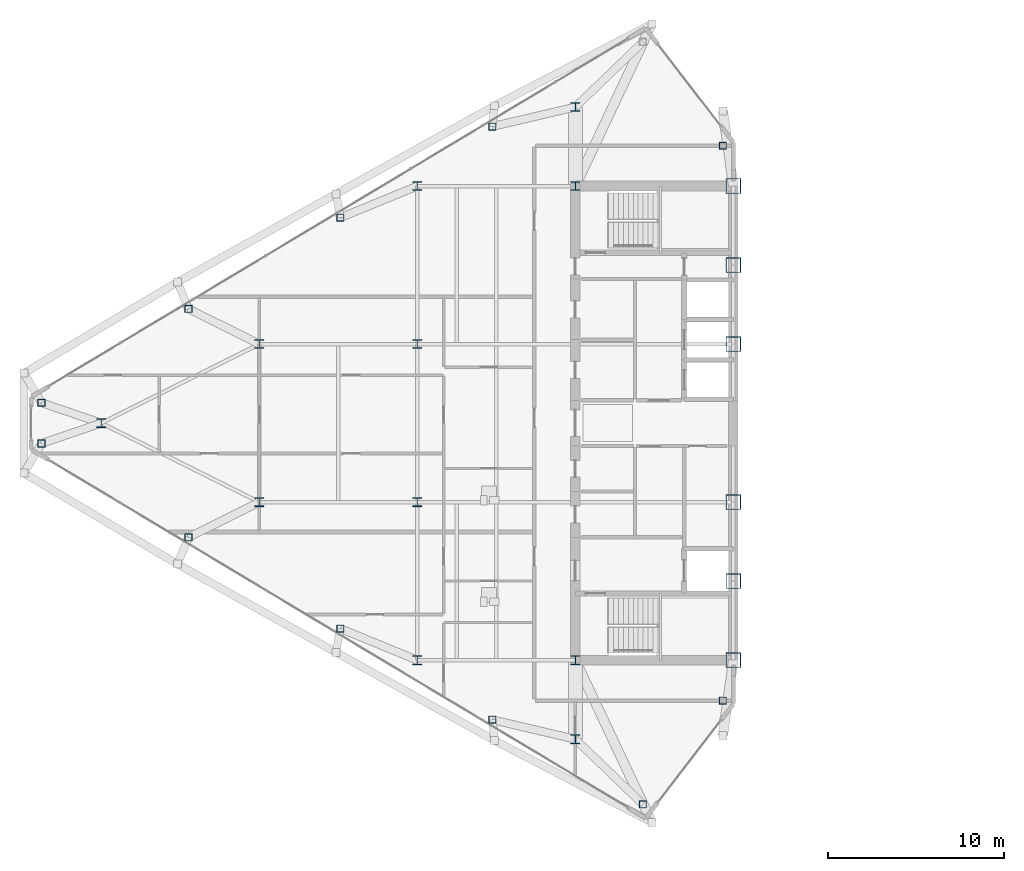
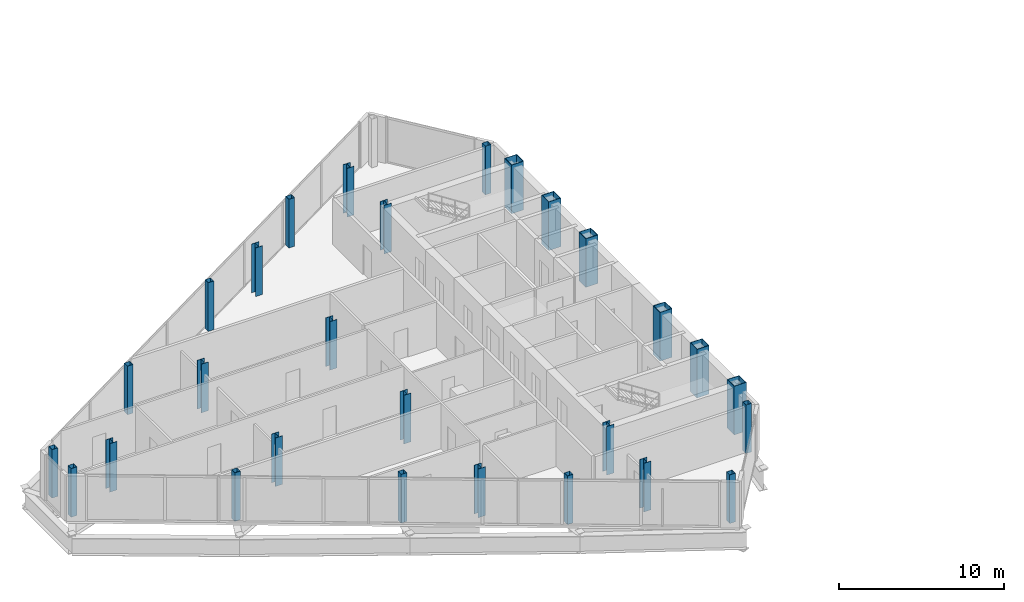
# One storey, part 1 of 29: 28 columns.
"""IFC4 building model written with IfcOpenShell, lengths in metres."""

from ifc_helpers import new_model, si_unit, direction, frame, origin, origin_2d, place, context, subcontext, project, spatial, hollow_rectangle, i_section, extrude, source, transform, mapped, material, material_profile, profile_set, type_object, type_shapes, element, save


model = new_model("IFC4")

# Units and contexts
model_context = context("Model", 3, precision=1e-05, world=origin(), true_north=direction((0.0, 1.0)))
body_context = subcontext(model_context, "Body", "Model", "MODEL_VIEW")
ifc_project = project(units=[si_unit("LENGTHUNIT", "METRE"), si_unit("AREAUNIT", "SQUARE_METRE"), si_unit("VOLUMEUNIT", "CUBIC_METRE"), si_unit("PLANEANGLEUNIT", "RADIAN"), si_unit("MASSUNIT", "GRAM", prefix="KILO")], contexts=[model_context])

# Site, building, storey
site_placement = place(None, origin())
site = spatial("IfcSite", under=ifc_project, at=site_placement, CompositionType="ELEMENT")
building_placement = place(site_placement, origin())
building = spatial("IfcBuilding", under=site, at=building_placement, Name="Seokmaru Belvedere", CompositionType="ELEMENT")
storey_placement = place(building_placement, frame((0.0, 0.0, 195.89990234375)))
storey = spatial("IfcBuildingStorey", under=building, at=storey_placement, Name="L52", CompositionType="ELEMENT", Elevation=195.89990234375)

# Columns
ifc_material_1 = material(Name="Steel HSA650 (650 MPa)", Category="steel")
ifc_material_profile_1 = material_profile(ifc_material_1, hollow_rectangle(XDim=0.85009765625, YDim=0.85009765625, WallThickness=0.035888671875, at=origin_2d()), Name="BOX-850x850x36")
ifc_profile_set_1 = profile_set([ifc_material_profile_1], Name="Steel HSA650 (650 MPa)")
column_type_1 = type_object("IfcColumnType", Name="Portal Spine Column BOX-850", PredefinedType="COLUMN", material=ifc_profile_set_1)
shared_shape_1 = source(origin(), body_context, "Body", "SweptSolid", [
    extrude(hollow_rectangle(XDim=0.85009765625, YDim=0.85009765625, WallThickness=0.035888671875, at=origin_2d()), origin(), (0.0, 0.0, 1.0), 3.60009765625),
])
type_shapes(column_type_1, [shared_shape_1])
for number, where, z_axis, x_axis, name in (
    (1, (-27.5, -13.5, 0.0), (0.0, 0.0, 1.0), (1.0, 0.0, 0.0), "L52 Column WS1"),
    (2, (-27.5, -9.0, 0.0), (0.0, 0.0, 1.0), (1.0, 0.0, 0.0), "L52 Column WS2"),
    (3, (-27.5, -4.5, 0.0), (0.0, 0.0, 1.0), (1.0, 0.0, 0.0), "L52 Column WS3"),
    (4, (-27.5, 4.5, 0.0), (0.0, 0.0, 1.0), (1.0, 0.0, 0.0), "L52 Column WS4"),
    (5, (-27.5, 9.0, 0.0), (0.0, 0.0, 1.0), (1.0, 0.0, 0.0), "L52 Column WS5"),
    (6, (-27.5, 13.5, 0.0), (0.0, 0.0, 1.0), (1.0, 0.0, 0.0), "L52 Column WS6"),
):
    element("IfcColumn", number, at=place(storey_placement, frame(where, z_axis=z_axis, x_axis=x_axis)), inside=storey, type_object=column_type_1, Name=name, PredefinedType="COLUMN", context=body_context, shape_type="MappedRepresentation", body=[
        mapped(shared_shape_1, transform((0.0, 0.0, 0.0), scale=1.0)),
    ])
ifc_material_2 = material(Name="Steel SM355 (355 MPa)", Category="steel")
ifc_material_profile_2 = material_profile(ifc_material_2, i_section(OverallWidth=0.5, OverallDepth=0.5, WebThickness=0.02001953125, FlangeThickness=0.031982421875, at=origin_2d()), Name="H-500x500x20x32")
ifc_profile_set_2 = profile_set([ifc_material_profile_2], Name="Steel SM355 (355 MPa)")
column_type_2 = type_object("IfcColumnType", Name="High-Rise Interior Column H-500", PredefinedType="COLUMN", material=ifc_profile_set_2)
shared_shape_2 = source(origin(), body_context, "Body", "SweptSolid", [
    extrude(i_section(OverallWidth=0.5, OverallDepth=0.5, WebThickness=0.02001953125, FlangeThickness=0.031982421875, at=origin_2d()), origin(), (0.0, 0.0, 1.0), 3.60009765625),
])
type_shapes(column_type_2, [shared_shape_2])
for number, where, z_axis, x_axis, name in (
    (7, (-36.5, -18.0, 0.0), (0.0, 0.0, 1.0), (1.0, 0.0, 0.0), "L52 Column WC1"),
    (8, (-36.5, -13.5, 0.0), (0.0, 0.0, 1.0), (1.0, 0.0, 0.0), "L52 Column WC2"),
    (9, (-36.5, 13.5, 0.0), (0.0, 0.0, 1.0), (1.0, 0.0, 0.0), "L52 Column WC3"),
    (10, (-36.5, 18.0, 0.0), (0.0, 0.0, 1.0), (1.0, 0.0, 0.0), "L52 Column WC4"),
    (11, (-45.5, -13.5, 0.0), (0.0, 0.0, 1.0), (1.0, 0.0, 0.0), "L52 Column WG5_1"),
    (12, (-45.5, -4.5, 0.0), (0.0, 0.0, 1.0), (1.0, 0.0, 0.0), "L52 Column WG5_2"),
    (13, (-45.5, 4.5, 0.0), (0.0, 0.0, 1.0), (1.0, 0.0, 0.0), "L52 Column WG5_3"),
    (14, (-45.5, 13.5, 0.0), (0.0, 0.0, 1.0), (1.0, 0.0, 0.0), "L52 Column WG5_4"),
    (15, (-54.5, -4.5, 0.0), (0.0, 0.0, 1.0), (1.0, 0.0, 0.0), "L52 Column WG4P_1"),
    (16, (-54.5, 4.5, 0.0), (0.0, 0.0, 1.0), (1.0, 0.0, 0.0), "L52 Column WG4P_2"),
    (17, (-63.5, 0.0, 0.0), (0.0, 0.0, 1.0), (1.0, 0.0, 0.0), "L52 Column WG3P_1"),
):
    element("IfcColumn", number, at=place(storey_placement, frame(where, z_axis=z_axis, x_axis=x_axis)), inside=storey, type_object=column_type_2, Name=name, PredefinedType="COLUMN", context=body_context, shape_type="MappedRepresentation", body=[
        mapped(shared_shape_2, transform((0.0, 0.0, 0.0), scale=1.0)),
    ])
ifc_material_profile_3 = material_profile(ifc_material_2, hollow_rectangle(XDim=0.39990234375, YDim=0.39990234375, WallThickness=0.01611328125, at=origin_2d()), Name="HSS-400x400x16")
ifc_profile_set_3 = profile_set([ifc_material_profile_3], Name="Steel SM355 (355 MPa)")
column_type_3 = type_object("IfcColumnType", Name="Perimeter Facet Column HSS-400", PredefinedType="COLUMN", material=ifc_profile_set_3)
shared_shape_3 = source(origin(), body_context, "Body", "SweptSolid", [
    extrude(hollow_rectangle(XDim=0.39990234375, YDim=0.39990234375, WallThickness=0.01611328125, at=origin_2d()), origin(), (0.0, 0.0, 1.0), 3.60009765625),
])
type_shapes(column_type_3, [shared_shape_3])
for number, where, z_axis, x_axis, name in (
    (18, (-28.10009765625, -15.7958984375, 0.0), (0.0, 0.0, 1.0), (1.0, 0.0, 0.0), "L52 Column WF1"),
    (19, (-28.10009765625, 15.7958984375, 0.0), (0.0, 0.0, 1.0), (1.0, 0.0, 0.0), "L52 Column WF2"),
    (20, (-66.89990234375, 1.160400390625, 0.0), (0.0, 0.0, 1.0), (1.0, 0.0, 0.0), "L52 Column WF4"),
    (21, (-66.89990234375, -1.160400390625, 0.0), (0.0, 0.0, 1.0), (1.0, 0.0, 0.0), "L52 Column WF5"),
    (22, (-32.649658203125, -21.71044921875, 0.0), (0.0, 0.0, 1.0), (1.0, 0.0, 0.0), "L52 Column WF6"),
    (23, (-41.229736328125, -16.888916015625, 0.0), (0.0, 0.0, 1.0), (1.0, 0.0, 0.0), "L52 Column WFLK_S1"),
    (24, (-49.8798828125, -11.698974609375, 0.0), (0.0, 0.0, 1.0), (1.0, 0.0, 0.0), "L52 Column WFLK_S2"),
    (25, (-58.530029296875, -6.5087890625, 0.0), (0.0, 0.0, 1.0), (1.0, 0.0, 0.0), "L52 Column WFLK_S3"),
    (26, (-41.229736328125, 16.888916015625, 0.0), (0.0, 0.0, 1.0), (1.0, 0.0, 0.0), "L52 Column WFLK_N1"),
    (27, (-49.8798828125, 11.698974609375, 0.0), (0.0, 0.0, 1.0), (1.0, 0.0, 0.0), "L52 Column WFLK_N2"),
    (28, (-58.530029296875, 6.5087890625, 0.0), (0.0, 0.0, 1.0), (1.0, 0.0, 0.0), "L52 Column WFLK_N3"),
):
    element("IfcColumn", number, at=place(storey_placement, frame(where, z_axis=z_axis, x_axis=x_axis)), inside=storey, type_object=column_type_3, Name=name, PredefinedType="COLUMN", context=body_context, shape_type="MappedRepresentation", body=[
        mapped(shared_shape_3, transform((0.0, 0.0, 0.0), scale=1.0)),
    ])

save(model, "model.ifc")
